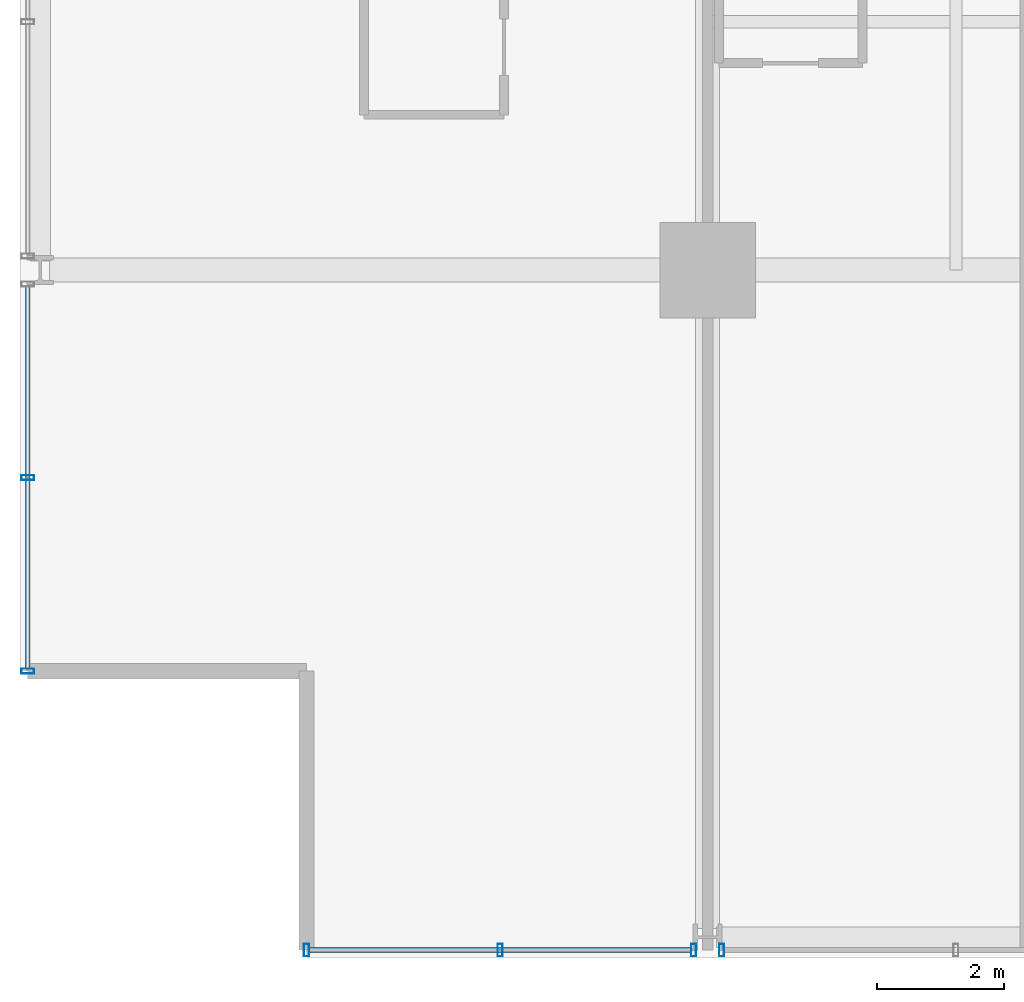
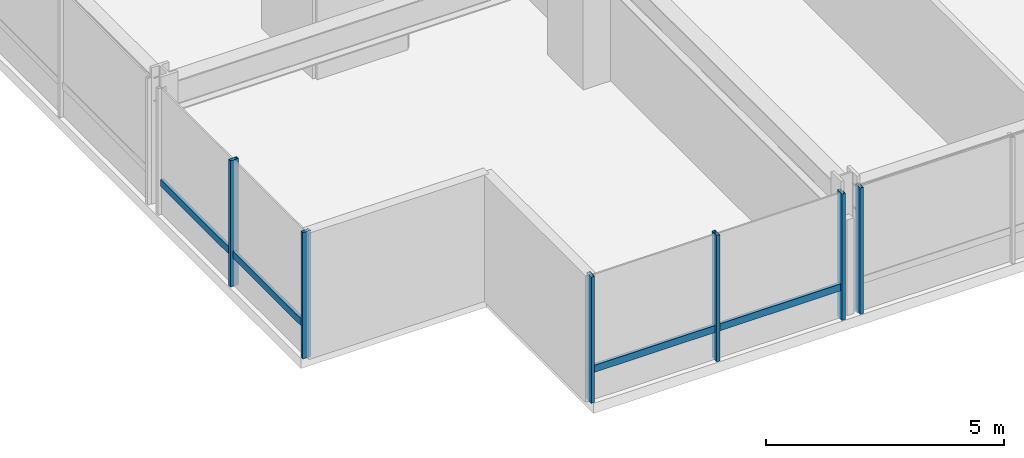
# One storey, part 2 of 34: 8 members, 3 elements without a shape of their own.
"""IFC4 building model written with IfcOpenShell, lengths in metres."""

from ifc_helpers import new_model, si_unit, direction, frame, origin, origin_2d, place, context, subcontext, project, spatial, hollow_rectangle, extrude, material, layer, layer_set, material_profile, profile_set, type_object, element, aggregate, save


model = new_model("IFC4")

# Units and contexts
model_context = context("Model", 3, precision=1e-05, world=origin(), true_north=direction((0.0, 1.0)))
body_context = subcontext(model_context, "Body", "Model", "MODEL_VIEW")
ifc_project = project(units=[si_unit("LENGTHUNIT", "METRE"), si_unit("AREAUNIT", "SQUARE_METRE"), si_unit("VOLUMEUNIT", "CUBIC_METRE"), si_unit("PLANEANGLEUNIT", "RADIAN"), si_unit("MASSUNIT", "GRAM", prefix="KILO")], contexts=[model_context])

# Site, building, storey
site_placement = place(None, origin())
site = spatial("IfcSite", under=ifc_project, at=site_placement, CompositionType="ELEMENT")
building_placement = place(site_placement, origin())
building = spatial("IfcBuilding", under=site, at=building_placement, Name="Drelvath Grand Hotel", CompositionType="ELEMENT")
storey_placement = place(building_placement, frame((0.0, 0.0, 116.300048828125)))
storey = spatial("IfcBuildingStorey", under=building, at=storey_placement, Name="L29", CompositionType="ELEMENT", Elevation=116.300048828125)

# Curtain wall, member
ifc_material = material(Name="Champagne Bronze Anodised Aluminium Frame", Category="aluminium")
ifc_layer = layer(ifc_material, 0.199951171875)
ifc_layer_set = layer_set([ifc_layer], Name="Champagne Bronze Anodised Aluminium Frame")
curtain_wall_type = type_object("IfcCurtainWallType", Name="Stick Curtain Wall CW-03 Champagne Bronze Mid-Rise", PredefinedType="NOTDEFINED", material=ifc_layer_set)
curtain_wall_1_placement = place(storey_placement, origin())
curtain_wall_1 = element("IfcCurtainWall", 1, at=curtain_wall_1_placement, inside=storey, type_object=curtain_wall_type, Name="L29 CW-03 Curtain Wall CW03-L29-WS1", PredefinedType="NOTDEFINED")
ifc_material_profile_1 = material_profile(ifc_material, hollow_rectangle(XDim=0.074951171875, YDim=0.179931640625, WallThickness=0.0048828125, at=origin_2d()), Name="HSS180X75X5")
ifc_profile_set_1 = profile_set([ifc_material_profile_1], Name="Champagne Bronze Anodised Aluminium Frame")
member_type_1 = type_object("IfcMemberType", Name="Curtain Wall Horizontal Transom CW-03 HSS180X75X5", PredefinedType="USERDEFINED", material=ifc_profile_set_1)
member_1_placement = place(storey_placement, frame((-26.8798828125, 4.5400390625, 0.81005859375), z_axis=(0.0, 1.0, 0.0), x_axis=(-1.0, 0.0, 0.0)))
member_1 = element("IfcMember", 2, at=member_1_placement, type_object=member_type_1, Name="CW03-L29-WS1 Sill Transom", ObjectType="TRANSOM", PredefinedType="USERDEFINED", context=body_context, shape_type="SweptSolid", body=[
    extrude(hollow_rectangle(XDim=0.074951171875, YDim=0.179931640625, WallThickness=0.0048828125, at=origin_2d()), origin(), (0.0, 0.0, 1.0), 6.000244140625),
])

curtain_wall_2_placement = place(storey_placement, origin())
curtain_wall_2 = element("IfcCurtainWall", 3, at=curtain_wall_2_placement, inside=storey, type_object=curtain_wall_type, Name="L29 CW-03 Curtain Wall CW03-L29-SW1", PredefinedType="NOTDEFINED")
member_2_placement = place(storey_placement, frame((-16.459716796875, 0.1201171875, 0.81005859375), z_axis=(-1.0, 0.0, 0.0), x_axis=(0.0, -1.0, 0.0)))
member_2 = element("IfcMember", 4, at=member_2_placement, type_object=member_type_1, Name="CW03-L29-SW1 Sill Transom", ObjectType="TRANSOM", PredefinedType="USERDEFINED", context=body_context, shape_type="SweptSolid", body=[
    extrude(hollow_rectangle(XDim=0.074951171875, YDim=0.179931640625, WallThickness=0.0048828125, at=origin_2d()), origin(), (0.0, 0.0, 1.0), 6.000244140625),
])

# Member
ifc_material_profile_2 = material_profile(ifc_material, hollow_rectangle(XDim=0.080078125, YDim=0.199951171875, WallThickness=0.0048828125, at=origin_2d()), Name="HSS200X80X5")
ifc_profile_set_2 = profile_set([ifc_material_profile_2], Name="Champagne Bronze Anodised Aluminium Frame")
member_type_2 = type_object("IfcMemberType", Name="Curtain Wall Vertical Mullion CW-03 HSS200X80X5", PredefinedType="MULLION", material=ifc_profile_set_2)
member_3_placement = place(storey_placement, frame((-26.8798828125, 4.5, 0.0), z_axis=(0.0, 0.0, 1.0), x_axis=(0.0, 1.0, 0.0)))
member_3 = element("IfcMember", 5, at=member_3_placement, type_object=member_type_2, Name="CW03-L29-WS1 Mullion 1", PredefinedType="MULLION", context=body_context, shape_type="SweptSolid", body=[
    extrude(hollow_rectangle(XDim=0.080078125, YDim=0.199951171875, WallThickness=0.0048828125, at=origin_2d()), origin(), (0.0, 0.0, 1.0), 3.239990234375),
])

member_4_placement = place(storey_placement, frame((-26.8798828125, 7.540283203125, 0.0), z_axis=(0.0, 0.0, 1.0), x_axis=(0.0, 1.0, 0.0)))
member_4 = element("IfcMember", 6, at=member_4_placement, type_object=member_type_2, Name="CW03-L29-WS1 Mullion 2", PredefinedType="MULLION", context=body_context, shape_type="SweptSolid", body=[
    extrude(hollow_rectangle(XDim=0.080078125, YDim=0.199951171875, WallThickness=0.0048828125, at=origin_2d()), origin(), (0.0, 0.0, 1.0), 3.239990234375),
])

aggregate(curtain_wall_1, [member_3, member_4, member_1])

member_5_placement = place(storey_placement, frame((-16.419677734375, 0.1201171875, 0.0), z_axis=(0.0, 0.0, 1.0), x_axis=(1.0, 0.0, 0.0)))
member_5 = element("IfcMember", 7, at=member_5_placement, type_object=member_type_2, Name="CW03-L29-SW1 Mullion 1", PredefinedType="MULLION", context=body_context, shape_type="SweptSolid", body=[
    extrude(hollow_rectangle(XDim=0.080078125, YDim=0.199951171875, WallThickness=0.0048828125, at=origin_2d()), origin(), (0.0, 0.0, 1.0), 3.239990234375),
])

member_6_placement = place(storey_placement, frame((-19.459716796875, 0.1201171875, 0.0), z_axis=(0.0, 0.0, 1.0), x_axis=(1.0, 0.0, 0.0)))
member_6 = element("IfcMember", 8, at=member_6_placement, type_object=member_type_2, Name="CW03-L29-SW1 Mullion 2", PredefinedType="MULLION", context=body_context, shape_type="SweptSolid", body=[
    extrude(hollow_rectangle(XDim=0.080078125, YDim=0.199951171875, WallThickness=0.0048828125, at=origin_2d()), origin(), (0.0, 0.0, 1.0), 3.239990234375),
])

member_7_placement = place(storey_placement, frame((-22.5, 0.1201171875, 0.0), z_axis=(0.0, 0.0, 1.0), x_axis=(1.0, 0.0, 0.0)))
member_7 = element("IfcMember", 9, at=member_7_placement, type_object=member_type_2, Name="CW03-L29-SW1 Mullion 3", PredefinedType="MULLION", context=body_context, shape_type="SweptSolid", body=[
    extrude(hollow_rectangle(XDim=0.080078125, YDim=0.199951171875, WallThickness=0.0048828125, at=origin_2d()), origin(), (0.0, 0.0, 1.0), 3.239990234375),
])

aggregate(curtain_wall_2, [member_5, member_6, member_7, member_2])

# Curtain wall, member
curtain_wall_3_placement = place(storey_placement, origin())
curtain_wall_3 = element("IfcCurtainWall", 10, at=curtain_wall_3_placement, inside=storey, type_object=curtain_wall_type, Name="L29 CW-03 Curtain Wall CW03-L29-SW2", PredefinedType="NOTDEFINED")
member_8_placement = place(storey_placement, frame((-15.98046875, 0.1201171875, 0.0), z_axis=(0.0, 0.0, 1.0), x_axis=(1.0, 0.0, 0.0)))
member_8 = element("IfcMember", 11, at=member_8_placement, type_object=member_type_2, Name="CW03-L29-SW2 Mullion 3", PredefinedType="MULLION", context=body_context, shape_type="SweptSolid", body=[
    extrude(hollow_rectangle(XDim=0.080078125, YDim=0.199951171875, WallThickness=0.0048828125, at=origin_2d()), origin(), (0.0, 0.0, 1.0), 3.239990234375),
])
aggregate(curtain_wall_3, [member_8])

save(model, "model.ifc")
